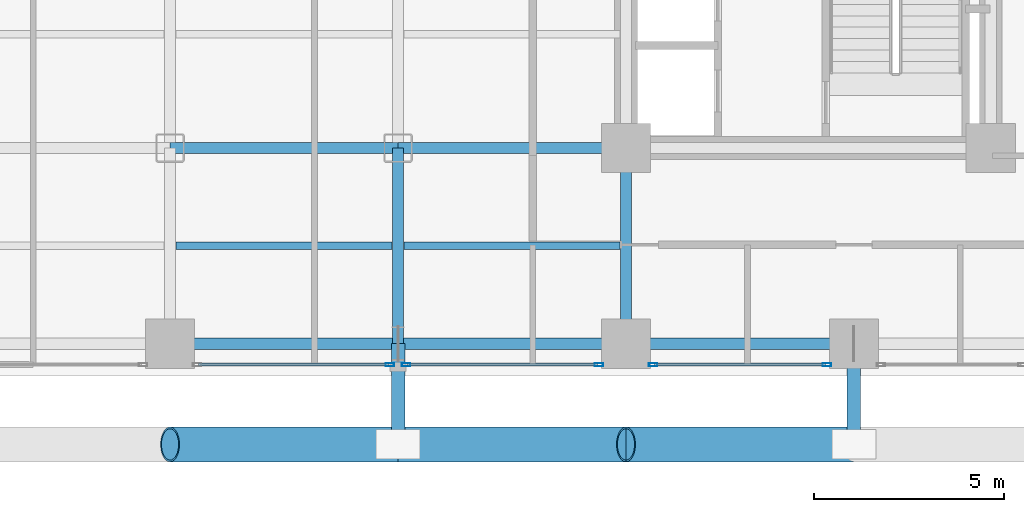
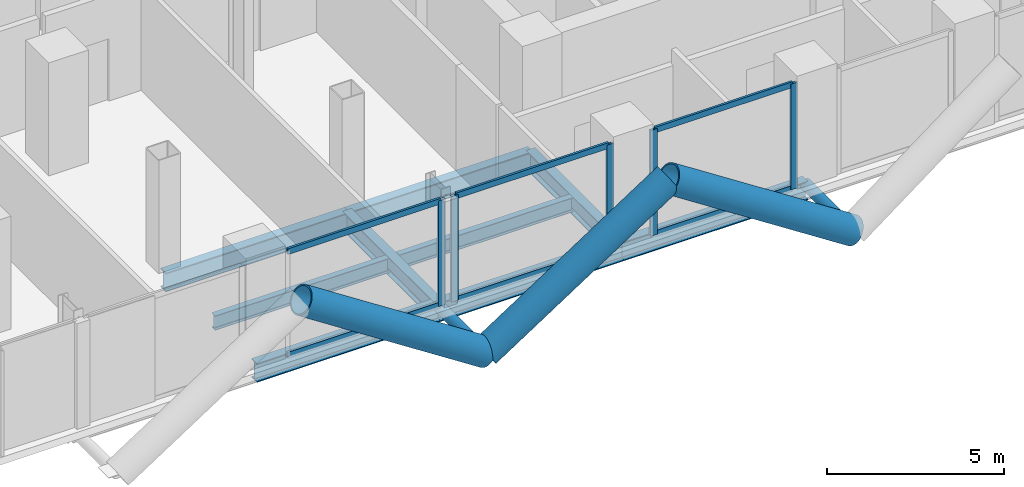
# One storey, part 3 of 27: 16 members, 9 beams, 3 elements without a shape of their own.
"""IFC4 building model written with IfcOpenShell, lengths in metres."""

from ifc_helpers import new_model, si_unit, direction, frame, origin, origin_2d, place, context, subcontext, project, spatial, hollow_rectangle, hollow_circle, i_section, extrude, material, layer, layer_set, material_profile, profile_set, type_object, element, aggregate, save


model = new_model("IFC4")

# Units and contexts
model_context = context("Model", 3, precision=1e-05, world=origin(), true_north=direction((0.0, 1.0)))
body_context = subcontext(model_context, "Body", "Model", "MODEL_VIEW")
ifc_project = project(units=[si_unit("LENGTHUNIT", "METRE"), si_unit("AREAUNIT", "SQUARE_METRE"), si_unit("VOLUMEUNIT", "CUBIC_METRE"), si_unit("PLANEANGLEUNIT", "RADIAN"), si_unit("MASSUNIT", "GRAM", prefix="KILO"), si_unit("THERMODYNAMICTEMPERATUREUNIT", "KELVIN"), si_unit("POWERUNIT", "WATT")], contexts=[model_context])

# Site, building, storey
site_placement = place(None, origin())
site = spatial("IfcSite", under=ifc_project, at=site_placement, CompositionType="ELEMENT")
building_placement = place(site_placement, origin())
building = spatial("IfcBuilding", under=site, at=building_placement, Name="Svarakhadi Broadcast Tower", CompositionType="ELEMENT")
storey_placement = place(building_placement, frame((0.0, 0.0, 55.800048828125)))
storey = spatial("IfcBuildingStorey", under=building, at=storey_placement, Name="L12", CompositionType="ELEMENT", Elevation=55.800048828125)

# Beams
ifc_material_1 = material(Name="Steel S355J2 (IS 2062 E350C)", Category="steel")
ifc_material_profile_1 = material_profile(ifc_material_1, i_section(OverallWidth=0.199951171875, OverallDepth=0.5, WebThickness=0.01025390625, FlangeThickness=0.01611328125, FilletRadius=0.02099609375, at=origin_2d()), Name="NPB 500x200x91")
ifc_profile_set_1 = profile_set([ifc_material_profile_1], Name="Steel S355J2 (IS 2062 E350C)")
beam_type_1 = type_object("IfcBeamType", Name="Beam_NPB500", PredefinedType="BEAM", material=ifc_profile_set_1)
for number, where, z_axis, x_axis, name in (
    (1, (12.159912109375, 3.425048828125, -0.5), (1.0, 0.0, 0.0), (0.0, 1.0, 0.0), "L12 Secondary Composite Beam SB013"),
    (2, (18.159912109375, 3.425048828125, -0.5), (1.0, 0.0, 0.0), (0.0, 1.0, 0.0), "L12 Secondary Composite Beam SB019"),
):
    element("IfcBeam", number, at=place(storey_placement, frame(where, z_axis=z_axis, x_axis=x_axis)), inside=storey, type_object=beam_type_1, Name=name, PredefinedType="BEAM", context=body_context, shape_type="SweptSolid", body=[
        extrude(i_section(OverallWidth=0.199951171875, OverallDepth=0.5, WebThickness=0.01025390625, FlangeThickness=0.01611328125, FilletRadius=0.02099609375, at=origin_2d()), origin(), (0.0, 0.0, 1.0), 5.68017578125),
    ])

# Curtain wall, members
ifc_material_2 = material(Name="Anodised Bronze Aluminium AA 6063-T6", Category="aluminium")
ifc_layer = layer(ifc_material_2, 0.219970703125)
ifc_layer_set = layer_set([ifc_layer], Name="Anodised Bronze Aluminium AA 6063-T6")
curtain_wall_type = type_object("IfcCurtainWallType", Name="CW_Sys_02", PredefinedType="NOTDEFINED", material=ifc_layer_set)
curtain_wall_1_placement = place(storey_placement, origin())
curtain_wall_1 = element("IfcCurtainWall", 3, at=curtain_wall_1_placement, inside=storey, type_object=curtain_wall_type, Name="L12 South Curtain Wall 17 Bay 3", PredefinedType="NOTDEFINED")
ifc_material_profile_2 = material_profile(ifc_material_2, hollow_rectangle(XDim=0.0849609375, YDim=0.219970703125, WallThickness=0.006103515625, at=origin_2d()), Name="ALU MULLION 220x85x6")
ifc_profile_set_2 = profile_set([ifc_material_profile_2], Name="Anodised Bronze Aluminium AA 6063-T6")
member_type_1 = type_object("IfcMemberType", Name="CW_Sys_02_Mul", PredefinedType="MULLION", material=ifc_profile_set_2)
member_1_placement = place(storey_placement, frame((29.28759765625, 0.300048828125, 0.0), z_axis=(0.0, 0.0, 1.0), x_axis=(0.0, -1.0, 0.0)))
member_1 = element("IfcMember", 4, at=member_1_placement, type_object=member_type_1, Name="CW-02 mullion 1", PredefinedType="MULLION", context=body_context, shape_type="SweptSolid", body=[
    extrude(hollow_rectangle(XDim=0.0849609375, YDim=0.219970703125, WallThickness=0.006103515625, at=origin_2d()), origin(), (0.0, 0.0, 1.0), 3.64990234375),
])
member_2_placement = place(storey_placement, frame((24.71240234375, 0.300048828125, 0.0), z_axis=(0.0, 0.0, 1.0), x_axis=(0.0, -1.0, 0.0)))
member_2 = element("IfcMember", 5, at=member_2_placement, type_object=member_type_1, Name="CW-02 mullion 2", PredefinedType="MULLION", context=body_context, shape_type="SweptSolid", body=[
    extrude(hollow_rectangle(XDim=0.0849609375, YDim=0.219970703125, WallThickness=0.006103515625, at=origin_2d()), origin(), (0.0, 0.0, 1.0), 3.64990234375),
])

curtain_wall_2_placement = place(storey_placement, origin())
curtain_wall_2 = element("IfcCurtainWall", 6, at=curtain_wall_2_placement, inside=storey, type_object=curtain_wall_type, Name="L12 South Curtain Wall 17 Bay 4", PredefinedType="NOTDEFINED")
member_3_placement = place(storey_placement, frame((23.28759765625, 0.300048828125, 0.0), z_axis=(0.0, 0.0, 1.0), x_axis=(0.0, -1.0, 0.0)))
member_3 = element("IfcMember", 7, at=member_3_placement, type_object=member_type_1, Name="CW-02 mullion 1", PredefinedType="MULLION", context=body_context, shape_type="SweptSolid", body=[
    extrude(hollow_rectangle(XDim=0.0849609375, YDim=0.219970703125, WallThickness=0.006103515625, at=origin_2d()), origin(), (0.0, 0.0, 1.0), 3.64990234375),
])
member_4_placement = place(storey_placement, frame((18.21240234375, 0.300048828125, 0.0), z_axis=(0.0, 0.0, 1.0), x_axis=(0.0, -1.0, 0.0)))
member_4 = element("IfcMember", 8, at=member_4_placement, type_object=member_type_1, Name="CW-02 mullion 2", PredefinedType="MULLION", context=body_context, shape_type="SweptSolid", body=[
    extrude(hollow_rectangle(XDim=0.0849609375, YDim=0.219970703125, WallThickness=0.006103515625, at=origin_2d()), origin(), (0.0, 0.0, 1.0), 3.64990234375),
])

# Curtain wall, member
curtain_wall_3_placement = place(storey_placement, origin())
curtain_wall_3 = element("IfcCurtainWall", 9, at=curtain_wall_3_placement, inside=storey, type_object=curtain_wall_type, Name="L12 South Curtain Wall 17 Bay 5", PredefinedType="NOTDEFINED")
member_5_placement = place(storey_placement, frame((17.78759765625, 0.300048828125, 0.0), z_axis=(0.0, 0.0, 1.0), x_axis=(0.0, -1.0, 0.0)))
member_5 = element("IfcMember", 10, at=member_5_placement, type_object=member_type_1, Name="CW-02 mullion 1", PredefinedType="MULLION", context=body_context, shape_type="SweptSolid", body=[
    extrude(hollow_rectangle(XDim=0.0849609375, YDim=0.219970703125, WallThickness=0.006103515625, at=origin_2d()), origin(), (0.0, 0.0, 1.0), 3.64990234375),
])

# Member
ifc_material_profile_3 = material_profile(ifc_material_2, hollow_rectangle(XDim=0.074951171875, YDim=0.199951171875, WallThickness=0.0048828125, at=origin_2d()), Name="ALU TRANSOM 200x75x5")
ifc_profile_set_3 = profile_set([ifc_material_profile_3], Name="Anodised Bronze Aluminium AA 6063-T6")
member_type_2 = type_object("IfcMemberType", Name="CW_Sys_02_Trn", PredefinedType="USERDEFINED", material=ifc_profile_set_3)
member_6_placement = place(storey_placement, frame((29.2451171875, 0.300048828125, 0.037353515625), z_axis=(-1.0, 0.0, 0.0), x_axis=(0.0, -1.0, 0.0)))
member_6 = element("IfcMember", 11, at=member_6_placement, type_object=member_type_2, Name="CW-02 transom 1.1", ObjectType="TRANSOM", PredefinedType="USERDEFINED", context=body_context, shape_type="SweptSolid", body=[
    extrude(hollow_rectangle(XDim=0.074951171875, YDim=0.199951171875, WallThickness=0.0048828125, at=origin_2d()), origin(), (0.0, 0.0, 1.0), 4.490234375),
])

member_7_placement = place(storey_placement, frame((29.2451171875, 0.300048828125, 3.612548828125), z_axis=(-1.0, 0.0, 0.0), x_axis=(0.0, -1.0, 0.0)))
member_7 = element("IfcMember", 12, at=member_7_placement, type_object=member_type_2, Name="CW-02 transom 1.2", ObjectType="TRANSOM", PredefinedType="USERDEFINED", context=body_context, shape_type="SweptSolid", body=[
    extrude(hollow_rectangle(XDim=0.074951171875, YDim=0.199951171875, WallThickness=0.0048828125, at=origin_2d()), origin(), (0.0, 0.0, 1.0), 4.490234375),
])

aggregate(curtain_wall_1, [member_1, member_2, member_6, member_7])

member_8_placement = place(storey_placement, frame((23.2451171875, 0.300048828125, 0.037353515625), z_axis=(-1.0, 0.0, 0.0), x_axis=(0.0, -1.0, 0.0)))
member_8 = element("IfcMember", 13, at=member_8_placement, type_object=member_type_2, Name="CW-02 transom 1.1", ObjectType="TRANSOM", PredefinedType="USERDEFINED", context=body_context, shape_type="SweptSolid", body=[
    extrude(hollow_rectangle(XDim=0.074951171875, YDim=0.199951171875, WallThickness=0.0048828125, at=origin_2d()), origin(), (0.0, 0.0, 1.0), 4.990234375),
])

member_9_placement = place(storey_placement, frame((23.2451171875, 0.300048828125, 3.612548828125), z_axis=(-1.0, 0.0, 0.0), x_axis=(0.0, -1.0, 0.0)))
member_9 = element("IfcMember", 14, at=member_9_placement, type_object=member_type_2, Name="CW-02 transom 1.2", ObjectType="TRANSOM", PredefinedType="USERDEFINED", context=body_context, shape_type="SweptSolid", body=[
    extrude(hollow_rectangle(XDim=0.074951171875, YDim=0.199951171875, WallThickness=0.0048828125, at=origin_2d()), origin(), (0.0, 0.0, 1.0), 4.990234375),
])

aggregate(curtain_wall_2, [member_3, member_4, member_8, member_9])

member_10_placement = place(storey_placement, frame((17.7451171875, 0.300048828125, 0.037353515625), z_axis=(-1.0, 0.0, 0.0), x_axis=(0.0, -1.0, 0.0)))
member_10 = element("IfcMember", 15, at=member_10_placement, type_object=member_type_2, Name="CW-02 transom 1.1", ObjectType="TRANSOM", PredefinedType="USERDEFINED", context=body_context, shape_type="SweptSolid", body=[
    extrude(hollow_rectangle(XDim=0.074951171875, YDim=0.199951171875, WallThickness=0.0048828125, at=origin_2d()), origin(), (0.0, 0.0, 1.0), 4.990234375),
])

member_11_placement = place(storey_placement, frame((17.7451171875, 0.300048828125, 3.612548828125), z_axis=(-1.0, 0.0, 0.0), x_axis=(0.0, -1.0, 0.0)))
member_11 = element("IfcMember", 16, at=member_11_placement, type_object=member_type_2, Name="CW-02 transom 1.2", ObjectType="TRANSOM", PredefinedType="USERDEFINED", context=body_context, shape_type="SweptSolid", body=[
    extrude(hollow_rectangle(XDim=0.074951171875, YDim=0.199951171875, WallThickness=0.0048828125, at=origin_2d()), origin(), (0.0, 0.0, 1.0), 4.990234375),
])

aggregate(curtain_wall_3, [member_5, member_10, member_11])

# Members
ifc_material_3 = material(Name="Steel S460ML (IS 2062 E450BR)", Category="steel")
ifc_material_profile_4 = material_profile(ifc_material_3, hollow_circle(Radius=0.45703125, WallThickness=0.044921875, at=origin_2d()), Name="CHS 914x45")
ifc_profile_set_4 = profile_set([ifc_material_profile_4], Name="Steel S460ML (IS 2062 E450BR)")
member_type_3 = type_object("IfcMemberType", Name="Exo_Brace_CHS914", PredefinedType="BRACE", material=ifc_profile_set_4)
for number, where, z_axis, x_axis, name in (
    (17, (18.0, -1.800048828125, -0.427734375), (-0.838449851971, 0.0, 0.544978757136), (0.0, -1.0, 0.0), "L12 Exposed Bronze Exoskeleton Diagonal S02"),
    (18, (18.0, -1.800048828125, -0.427734375), (0.838449851971, 0.0, 0.544978757136), (0.0, 1.0, 0.0), "L12 Exposed Bronze Exoskeleton Diagonal S03"),
    (19, (30.0, -1.800048828125, -0.427734375), (-0.838449851971, 0.0, 0.544978757136), (0.0, -1.0, 0.0), "L12 Exposed Bronze Exoskeleton Diagonal S04"),
):
    element("IfcMember", number, at=place(storey_placement, frame(where, z_axis=z_axis, x_axis=x_axis)), inside=storey, type_object=member_type_3, Name=name, PredefinedType="BRACE", context=body_context, shape_type="SweptSolid", body=[
        extrude(hollow_circle(Radius=0.45703125, WallThickness=0.044921875, at=origin_2d()), origin(), (0.0, 0.0, 1.0), 7.156005859375),
    ])
ifc_material_profile_5 = material_profile(ifc_material_3, hollow_circle(Radius=0.177734375, WallThickness=0.02001953125, at=origin_2d()), Name="CHS 355.6x20")
ifc_profile_set_5 = profile_set([ifc_material_profile_5], Name="Steel S460ML (IS 2062 E450BR)")
member_type_4 = type_object("IfcMemberType", Name="Exo_Radial_Strut_Z1", PredefinedType="STRUT", material=ifc_profile_set_5)
for number, where, z_axis, x_axis, name in (
    (20, (18.0, -1.800048828125, -0.427734375), (0.0, 1.0, 0.0), (-1.0, 0.0, 0.0), "L12 Exoskeleton Radial Tie Strut S02"),
    (21, (30.0, -1.800048828125, -0.427734375), (0.0, 1.0, 0.0), (-1.0, 0.0, 0.0), "L12 Exoskeleton Radial Tie Strut S03"),
):
    element("IfcMember", number, at=place(storey_placement, frame(where, z_axis=z_axis, x_axis=x_axis)), inside=storey, type_object=member_type_4, Name=name, PredefinedType="STRUT", context=body_context, shape_type="SweptSolid", body=[
        extrude(hollow_circle(Radius=0.177734375, WallThickness=0.02001953125, at=origin_2d()), origin(), (0.0, 0.0, 1.0), 2.650146484375),
    ])

# Beams
ifc_material_profile_6 = material_profile(ifc_material_1, i_section(OverallWidth=0.300048828125, OverallDepth=0.64990234375, WebThickness=0.01611328125, FlangeThickness=0.031005859375, FilletRadius=0.027099609375, at=origin_2d()), Name="WPB 650x300x225")
ifc_profile_set_6 = profile_set([ifc_material_profile_6], Name="Steel S355J2 (IS 2062 E350C)")
beam_type_2 = type_object("IfcBeamType", Name="Girder_WPB650", PredefinedType="USERDEFINED", material=ifc_profile_set_6)
for number, where, z_axis, x_axis, name in (
    (22, (12.0, 0.85009765625, -0.574951171875), (1.0, 0.0, 0.0), (0.0, 1.0, 0.0), "L12 Primary E-W Girder G005"),
    (23, (18.0, 0.85009765625, -0.574951171875), (1.0, 0.0, 0.0), (0.0, 1.0, 0.0), "L12 Primary E-W Girder G006"),
    (24, (24.0, 0.85009765625, -0.574951171875), (1.0, 0.0, 0.0), (0.0, 1.0, 0.0), "L12 Primary E-W Girder G007"),
    (25, (12.0, 6.0, -0.574951171875), (1.0, 0.0, 0.0), (0.0, 1.0, 0.0), "L12 Primary E-W Girder G013"),
    (26, (18.0, 6.0, -0.574951171875), (1.0, 0.0, 0.0), (0.0, 1.0, 0.0), "L12 Primary E-W Girder G014"),
):
    element("IfcBeam", number, at=place(storey_placement, frame(where, z_axis=z_axis, x_axis=x_axis)), inside=storey, type_object=beam_type_2, Name=name, ObjectType="GIRDER", PredefinedType="USERDEFINED", context=body_context, shape_type="SweptSolid", body=[
        extrude(i_section(OverallWidth=0.300048828125, OverallDepth=0.64990234375, WebThickness=0.01611328125, FlangeThickness=0.031005859375, FilletRadius=0.027099609375, at=origin_2d()), origin(), (0.0, 0.0, 1.0), 6.0),
    ])
for number, where, z_axis, x_axis, name in (
    (27, (18.0, 0.85009765625, -0.574951171875), (0.0, 1.0, 0.0), (-1.0, 0.0, 0.0), "L12 Primary N-S Girder G064"),
    (28, (24.0, 0.85009765625, -0.574951171875), (0.0, 1.0, 0.0), (-1.0, 0.0, 0.0), "L12 Primary N-S Girder G071"),
):
    element("IfcBeam", number, at=place(storey_placement, frame(where, z_axis=z_axis, x_axis=x_axis)), inside=storey, type_object=beam_type_2, Name=name, ObjectType="GIRDER", PredefinedType="USERDEFINED", context=body_context, shape_type="SweptSolid", body=[
        extrude(i_section(OverallWidth=0.300048828125, OverallDepth=0.64990234375, WebThickness=0.01611328125, FlangeThickness=0.031005859375, FilletRadius=0.027099609375, at=origin_2d()), origin(), (0.0, 0.0, 1.0), 5.14990234375),
    ])

save(model, "model.ifc")
